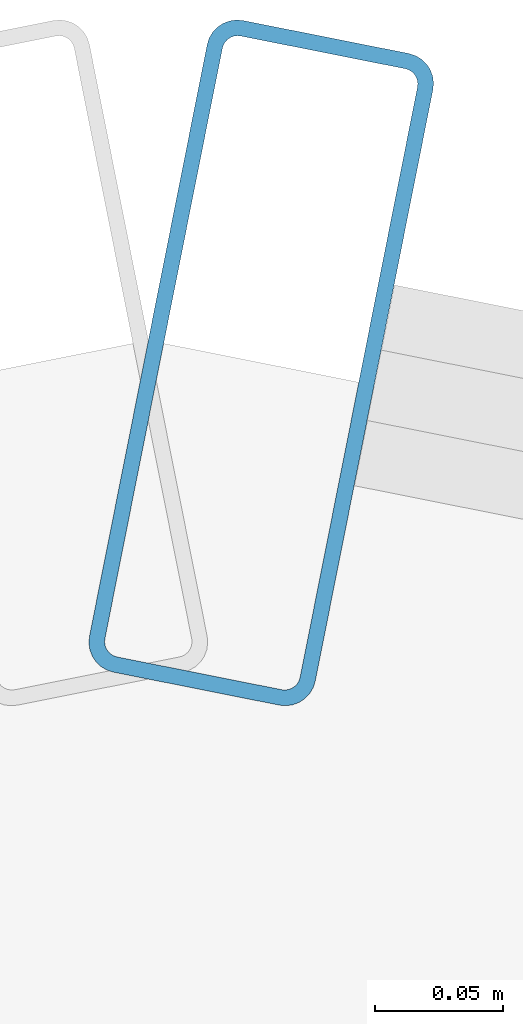
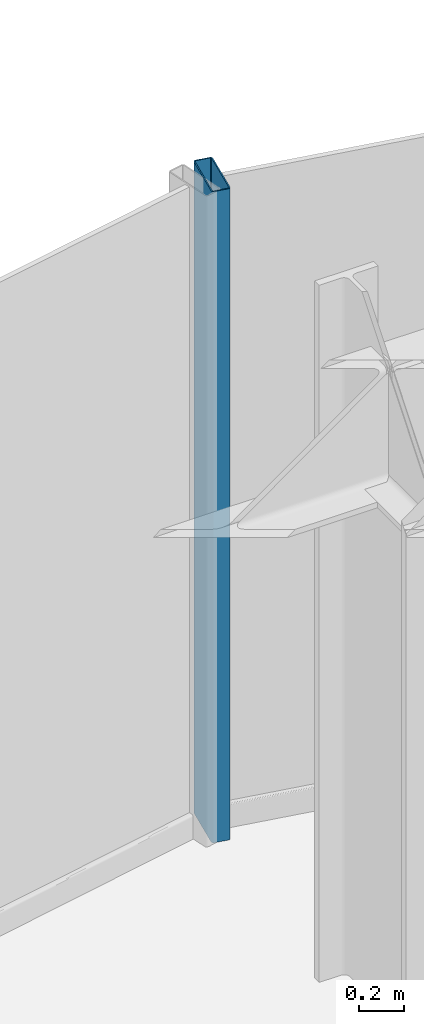
# One storey, part 15 of 23: 1 member, 1 element without a shape of its own.
"""IFC4 building model written with IfcOpenShell, lengths in metres."""

from ifc_helpers import new_model, si_unit, direction, frame, origin, origin_2d, place, context, subcontext, project, spatial, hollow_rectangle, extrude, source, transform, mapped, material, layer, layer_set, material_profile, profile_set, type_object, element, aggregate, save


model = new_model("IFC4")

# Units and contexts
model_context = context("Model", 3, precision=1e-05, world=origin(), true_north=direction((0.0, 1.0)))
body_context = subcontext(model_context, "Body", "Model", "MODEL_VIEW")
ifc_project = project(units=[si_unit("LENGTHUNIT", "METRE"), si_unit("AREAUNIT", "SQUARE_METRE"), si_unit("VOLUMEUNIT", "CUBIC_METRE"), si_unit("PLANEANGLEUNIT", "RADIAN"), si_unit("MASSUNIT", "GRAM", prefix="KILO")], contexts=[model_context])

# Site, building, storey
site_placement = place(None, origin())
site = spatial("IfcSite", under=ifc_project, at=site_placement, CompositionType="ELEMENT")
building_placement = place(site_placement, origin())
building = spatial("IfcBuilding", under=site, at=building_placement, Name="Nefas-Gora Pilgrimage Tower", CompositionType="ELEMENT")
storey_placement = place(building_placement, frame((0.0, 0.0, 167.800048828125)))
storey = spatial("IfcBuildingStorey", under=building, at=storey_placement, Name="L41", CompositionType="ELEMENT", Elevation=167.800048828125)

# Curtain wall, member
ifc_material_1 = material(Name="Dark ceramic-fritted solar-control aluminium-glass curtain wall", Category="aluminium")
ifc_layer = layer(ifc_material_1, 0.219970703125)
ifc_layer_set = layer_set([ifc_layer], Name="Dark ceramic-fritted solar-control aluminium-glass curtain wall")
curtain_wall_type = type_object("IfcCurtainWallType", Name="CW-SYS-5", PredefinedType="NOTDEFINED", material=ifc_layer_set)
curtain_wall_placement = place(storey_placement, origin())
curtain_wall = element("IfcCurtainWall", 1, at=curtain_wall_placement, inside=storey, type_object=curtain_wall_type, Name="L41 Unitised Curtain Wall CW5", PredefinedType="NOTDEFINED")
ifc_material_2 = material(Name="Anodised architectural aluminium", Category="aluminium")
ifc_material_profile = material_profile(ifc_material_2, hollow_rectangle(XDim=0.090087890625, YDim=0.260009765625, WallThickness=0.006103515625, InnerFilletRadius=0.006103515625, OuterFilletRadius=0.011962890625, at=origin_2d()), Name="ALU MULLION 90x260")
ifc_profile_set = profile_set([ifc_material_profile], Name="Anodised architectural aluminium")
member_type = type_object("IfcMemberType", Name="CWM-MUL-5", PredefinedType="MULLION", material=ifc_profile_set)
shared_shape = source(origin(), body_context, "Body", "SweptSolid", [
    extrude(hollow_rectangle(XDim=0.090087890625, YDim=0.260009765625, WallThickness=0.006103515625, InnerFilletRadius=0.006103515625, OuterFilletRadius=0.011962890625, at=origin_2d()), origin(), (0.0, 0.0, 1.0), 3.550048828125),
])
member_placement = place(storey_placement, frame((-2.205810546875, 24.16357421875, 0.0), z_axis=(0.0, 0.0, 1.0), x_axis=(-0.980782896852, 0.195102304554, 0.0)))
member = element("IfcMember", 2, at=member_placement, type_object=member_type, Name="CW5 Mullion 2", PredefinedType="MULLION", context=body_context, shape_type="MappedRepresentation", body=[
    mapped(shared_shape, transform((0.0, 0.0, 0.0), x_axis=(1.0, 0.0, 0.0), y_axis=(0.0, 1.0, 0.0), z_axis=(0.0, 0.0, 1.0), scale=1.0)),
])
aggregate(curtain_wall, [member])

save(model, "model.ifc")
